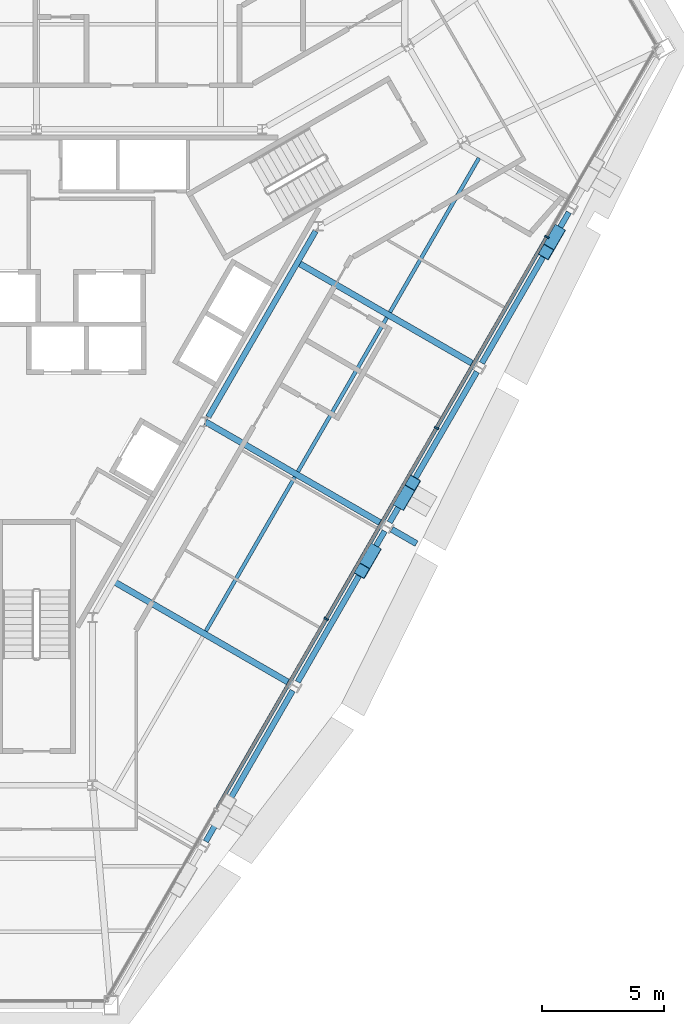
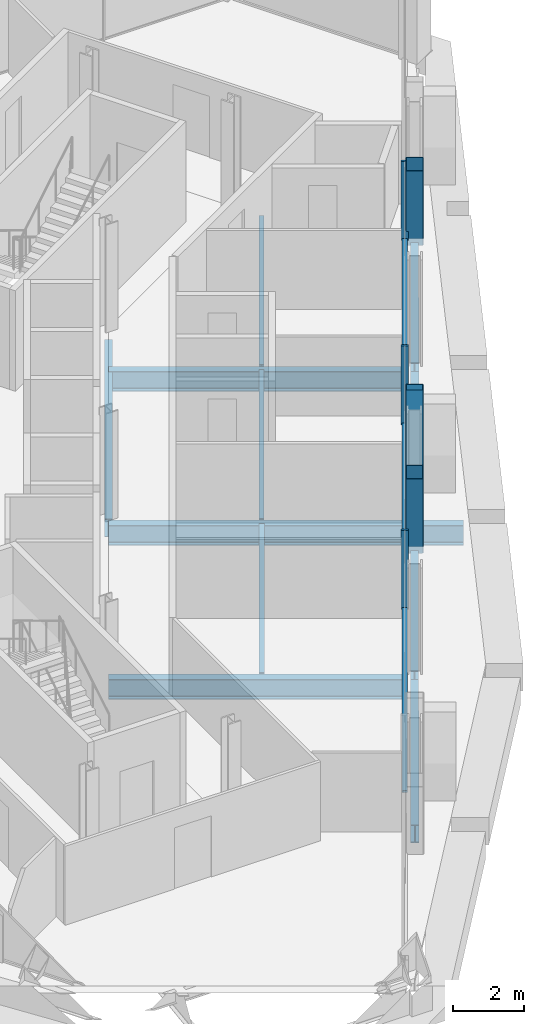
# One storey, part 4 of 13: 12 beams, 9 members, 1 element without a shape of its own.
"""IFC4 building model written with IfcOpenShell, lengths in metres."""

from ifc_helpers import new_model, si_unit, direction, frame, origin, origin_2d, place, context, subcontext, project, spatial, rectangle, hollow_rectangle, i_section, extrude, material, material_profile, profile_set, type_object, element, aggregate, save


model = new_model("IFC4")

# Units and contexts
model_context = context("Model", 3, precision=1e-05, world=origin(), true_north=direction((0.0, 1.0)))
body_context = subcontext(model_context, "Body", "Model", "MODEL_VIEW")
ifc_project = project(units=[si_unit("LENGTHUNIT", "METRE"), si_unit("AREAUNIT", "SQUARE_METRE"), si_unit("VOLUMEUNIT", "CUBIC_METRE"), si_unit("PLANEANGLEUNIT", "RADIAN"), si_unit("MASSUNIT", "GRAM", prefix="KILO")], contexts=[model_context])

# Site, building, storey
site_placement = place(None, origin())
site = spatial("IfcSite", under=ifc_project, at=site_placement, CompositionType="ELEMENT")
building_placement = place(site_placement, origin())
building = spatial("IfcBuilding", under=site, at=building_placement, Name="Verrane Prism Tower", CompositionType="ELEMENT")
storey_placement = place(building_placement, frame((0.0, 0.0, 152.5)))
storey = spatial("IfcBuildingStorey", under=building, at=storey_placement, Name="L37", CompositionType="ELEMENT", Elevation=152.5)

# Beam
ifc_material_1 = material(Name="Steel A992", Category="steel")
ifc_material_profile_1 = material_profile(ifc_material_1, i_section(OverallWidth=0.23046875, OverallDepth=0.6171875, WebThickness=0.01318359375, FlangeThickness=0.022216796875, FilletRadius=0.012939453125, at=origin_2d()), Name="W24x94")
ifc_profile_set_1 = profile_set([ifc_material_profile_1], Name="Steel A992")
beam_type_1 = type_object("IfcBeamType", Name="Core ring girder W24x94", PredefinedType="BEAM", material=ifc_profile_set_1)
beam_1_placement = place(storey_placement, frame((7.045166015625, -3.800537109375, -0.55859375), z_axis=(0.499967414725, 0.866044216084, 0.0), x_axis=(-0.866044216084, 0.499967414725, 0.0)))
element("IfcBeam", 1, at=beam_1_placement, inside=storey, type_object=beam_type_1, Name="Core ring girder L37", PredefinedType="BEAM", context=body_context, shape_type="SweptSolid", body=[
    extrude(i_section(OverallWidth=0.23046875, OverallDepth=0.6171875, WebThickness=0.01318359375, FlangeThickness=0.022216796875, FilletRadius=0.012939453125, at=origin_2d()), origin(), (0.0, 0.0, 1.0), 8.7998046875),
])

# Members
ifc_material_2 = material(Name="Steel A500 Grade C", Category="steel")
ifc_material_profile_2 = material_profile(ifc_material_2, hollow_rectangle(XDim=0.508056640625, YDim=0.508056640625, WallThickness=0.01904296875, InnerFilletRadius=0.009521484375, OuterFilletRadius=0.028564453125, at=origin_2d()), Name="HSS20x20x3/4")
ifc_profile_set_2 = profile_set([ifc_material_profile_2], Name="Steel A500 Grade C")
member_type_1 = type_object("IfcMemberType", Name="Facade brace HSS20x20x3/4", PredefinedType="BRACE", material=ifc_profile_set_2)
member_1_placement = place(storey_placement, frame((13.8046875, -9.2978515625, -0.216796875), z_axis=(-0.139696727642, -0.242434321043, 0.960057510916), x_axis=(0.866447259568, -0.499268611457, 0.0)))
element("IfcMember", 2, at=member_1_placement, inside=storey, type_object=member_type_1, Name="Facade brace SE2 L37", PredefinedType="BRACE", context=body_context, shape_type="SweptSolid", body=[
    extrude(hollow_rectangle(XDim=0.508056640625, YDim=0.508056640625, WallThickness=0.01904296875, InnerFilletRadius=0.009521484375, OuterFilletRadius=0.028564453125, at=origin_2d()), origin(), (0.0, 0.0, 1.0), 3.329345703125),
])
member_2_placement = place(storey_placement, frame((14.956787109375, -7.3037109375, -0.216796875), z_axis=(0.140068643314, 0.242076749518, 0.960093548829), x_axis=(-0.865551922742, 0.500819197952, 0.0)))
element("IfcMember", 3, at=member_2_placement, inside=storey, type_object=member_type_1, Name="Facade brace SE3 L37", PredefinedType="BRACE", context=body_context, shape_type="SweptSolid", body=[
    extrude(hollow_rectangle(XDim=0.508056640625, YDim=0.508056640625, WallThickness=0.01904296875, InnerFilletRadius=0.009521484375, OuterFilletRadius=0.028564453125, at=origin_2d()), origin(), (0.0, 0.0, 1.0), 3.3291015625),
])
member_3_placement = place(storey_placement, frame((21.354736328125, 3.772216796875, -0.216796875), z_axis=(-0.139768627074, -0.242431836886, 0.960047673478), x_axis=(0.866333877494, -0.499465326831, 0.0)))
element("IfcMember", 4, at=member_3_placement, inside=storey, type_object=member_type_1, Name="Facade brace SE4 L37", PredefinedType="BRACE", context=body_context, shape_type="SweptSolid", body=[
    extrude(hollow_rectangle(XDim=0.508056640625, YDim=0.508056640625, WallThickness=0.01904296875, InnerFilletRadius=0.009521484375, OuterFilletRadius=0.028564453125, at=origin_2d()), origin(), (0.0, 0.0, 1.0), 3.329345703125),
])

# Beams
ifc_material_3 = material(Name="Steel A992", Category="steel")
ifc_material_profile_3 = material_profile(ifc_material_3, i_section(OverallWidth=0.15234375, OverallDepth=0.449462890625, WebThickness=0.007568359375, FlangeThickness=0.0107421875, FilletRadius=0.01025390625, at=origin_2d()), Name="W18x35")
ifc_profile_set_3 = profile_set([ifc_material_profile_3], Name="Steel A992")
beam_type_2 = type_object("IfcBeamType", Name="Floor beam W18x35", PredefinedType="BEAM", material=ifc_profile_set_3)
beam_2_placement = place(storey_placement, frame((6.9462890625, -12.57861328125, -0.384765625), z_axis=(0.500012159746, 0.866018383238, 0.0), x_axis=(-0.866018383238, 0.500012159746, 0.0)))
element("IfcBeam", 5, at=beam_2_placement, inside=storey, type_object=beam_type_2, Name="Floor beam L37", PredefinedType="BEAM", context=body_context, shape_type="SweptSolid", body=[
    extrude(i_section(OverallWidth=0.15234375, OverallDepth=0.449462890625, WebThickness=0.007568359375, FlangeThickness=0.0107421875, FilletRadius=0.01025390625, at=origin_2d()), origin(), (0.0, 0.0, 1.0), 7.294677734375),
])
beam_3_placement = place(storey_placement, frame((10.719970703125, -6.041015625, -0.384765625), z_axis=(0.499998707891, 0.866026149782, 0.0), x_axis=(-0.866026149782, 0.499998707891, 0.0)))
element("IfcBeam", 6, at=beam_3_placement, inside=storey, type_object=beam_type_2, Name="Floor beam L37", PredefinedType="BEAM", context=body_context, shape_type="SweptSolid", body=[
    extrude(i_section(OverallWidth=0.15234375, OverallDepth=0.449462890625, WebThickness=0.007568359375, FlangeThickness=0.0107421875, FilletRadius=0.01025390625, at=origin_2d()), origin(), (0.0, 0.0, 1.0), 7.29296875),
])
beam_4_placement = place(storey_placement, frame((14.493408203125, 0.4951171875, -0.384765625), z_axis=(0.50001111627, 0.866018985708, 0.0), x_axis=(-0.866018985708, 0.50001111627, 0.0)))
element("IfcBeam", 7, at=beam_4_placement, inside=storey, type_object=beam_type_2, Name="Floor beam L37", PredefinedType="BEAM", context=body_context, shape_type="SweptSolid", body=[
    extrude(i_section(OverallWidth=0.15234375, OverallDepth=0.449462890625, WebThickness=0.007568359375, FlangeThickness=0.0107421875, FilletRadius=0.01025390625, at=origin_2d()), origin(), (0.0, 0.0, 1.0), 7.296630859375),
])

# Curtain wall, members
ifc_material_4 = material(Name="Aluminium framed insulated glazing", Category="aluminium")
curtain_wall_type = type_object("IfcCurtainWallType", Name="Curtain wall CW-A 8400 module", PredefinedType="NOTDEFINED", material=ifc_material_4)
curtain_wall_placement = place(storey_placement, origin())
curtain_wall = element("IfcCurtainWall", 8, at=curtain_wall_placement, inside=storey, type_object=curtain_wall_type, Name="Glazed curtain wall south-east face L37", PredefinedType="NOTDEFINED")
ifc_material_5 = material(Name="Aluminium alloy 6063-T6", Category="aluminium")
ifc_material_profile_4 = material_profile(ifc_material_5, rectangle(XDim=0.199951171875, YDim=0.070068359375, at=origin_2d()), Name="Mullion 70x200 aluminium")
ifc_profile_set_4 = profile_set([ifc_material_profile_4], Name="Aluminium alloy 6063-T6")
member_type_2 = type_object("IfcMemberType", Name="Mullion 70x200 aluminium", PredefinedType="MULLION", material=ifc_profile_set_4)
member_4_placement = place(storey_placement, frame((11.883056640625, -12.079833984375, 0.0), z_axis=(0.0, 0.0, 1.0), x_axis=(-0.866025097191, 0.500000531035, 0.0)))
member_4 = element("IfcMember", 9, at=member_4_placement, type_object=member_type_2, Name="CW36.6 mullion 3", PredefinedType="MULLION", context=body_context, shape_type="SweptSolid", body=[
    extrude(rectangle(XDim=0.199951171875, YDim=0.070068359375, at=origin_2d()), origin(), (0.0, 0.0, 1.0), 2.712890625),
])
member_5_placement = place(storey_placement, frame((16.403076171875, -4.251220703125, 0.0), z_axis=(0.0, 0.0, 1.0), x_axis=(-0.866025097191, 0.500000531035, 0.0)))
member_5 = element("IfcMember", 10, at=member_5_placement, type_object=member_type_2, Name="CW36.6 mullion 4", PredefinedType="MULLION", context=body_context, shape_type="SweptSolid", body=[
    extrude(rectangle(XDim=0.199951171875, YDim=0.070068359375, at=origin_2d()), origin(), (0.0, 0.0, 1.0), 2.712890625),
])
member_6_placement = place(storey_placement, frame((20.923095703125, 3.57763671875, 0.0), z_axis=(0.0, 0.0, 1.0), x_axis=(-0.866025097191, 0.500000531035, 0.0)))
member_6 = element("IfcMember", 11, at=member_6_placement, type_object=member_type_2, Name="CW36.6 mullion 5", PredefinedType="MULLION", context=body_context, shape_type="SweptSolid", body=[
    extrude(rectangle(XDim=0.199951171875, YDim=0.070068359375, at=origin_2d()), origin(), (0.0, 0.0, 1.0), 2.712890625),
])

# Beams
ifc_material_6 = material(Name="Steel A992", Category="steel")
ifc_material_profile_5 = material_profile(ifc_material_6, i_section(OverallWidth=0.25390625, OverallDepth=0.683349609375, WebThickness=0.012451171875, FlangeThickness=0.01904296875, FilletRadius=0.01513671875, at=origin_2d()), Name="W27x94")
ifc_profile_set_5 = profile_set([ifc_material_profile_5], Name="Steel A992")
beam_type_3 = type_object("IfcBeamType", Name="Radial girder W27x94", PredefinedType="BEAM", material=ifc_profile_set_5)
beam_5_placement = place(storey_placement, frame((10.421875, -14.7314453125, -0.5615234375), z_axis=(-0.866017422895, 0.500013823051, 0.0), x_axis=(-0.500013823051, -0.866017422895, 0.0)))
element("IfcBeam", 12, at=beam_5_placement, inside=storey, type_object=beam_type_3, Name="Radial girder L37", PredefinedType="BEAM", context=body_context, shape_type="SweptSolid", body=[
    extrude(i_section(OverallWidth=0.25390625, OverallDepth=0.683349609375, WebThickness=0.012451171875, FlangeThickness=0.01904296875, FilletRadius=0.01513671875, at=origin_2d()), origin(), (0.0, 0.0, 1.0), 8.389404296875),
])
beam_6_placement = place(storey_placement, frame((14.19189453125, -8.19140625, -0.5615234375), z_axis=(-0.866027030928, 0.499997181693, 0.0), x_axis=(-0.499997181693, -0.866027030928, 0.0)))
element("IfcBeam", 13, at=beam_6_placement, inside=storey, type_object=beam_type_3, Name="Radial girder L37", PredefinedType="BEAM", context=body_context, shape_type="SweptSolid", body=[
    extrude(i_section(OverallWidth=0.25390625, OverallDepth=0.683349609375, WebThickness=0.012451171875, FlangeThickness=0.01904296875, FilletRadius=0.01513671875, at=origin_2d()), origin(), (0.0, 0.0, 1.0), 8.384765625),
])
beam_7_placement = place(storey_placement, frame((17.971923828125, -1.661376953125, -0.5615234375), z_axis=(-0.866025742774, 0.499999412853, 0.0), x_axis=(-0.499999412853, -0.866025742774, 0.0)))
element("IfcBeam", 14, at=beam_7_placement, inside=storey, type_object=beam_type_3, Name="Radial girder L37", PredefinedType="BEAM", context=body_context, shape_type="SweptSolid", body=[
    extrude(i_section(OverallWidth=0.25390625, OverallDepth=0.683349609375, WebThickness=0.012451171875, FlangeThickness=0.01904296875, FilletRadius=0.01513671875, at=origin_2d()), origin(), (0.0, 0.0, 1.0), 8.3935546875),
])
beam_8_placement = place(storey_placement, frame((14.564697265625, -8.406494140625, -0.5615234375), z_axis=(0.866019260715, -0.500010639957, 0.0), x_axis=(0.500010639957, 0.866019260715, 0.0)))
element("IfcBeam", 15, at=beam_8_placement, inside=storey, type_object=beam_type_3, Name="Cantilever girder L37", PredefinedType="BEAM", context=body_context, shape_type="SweptSolid", body=[
    extrude(i_section(OverallWidth=0.25390625, OverallDepth=0.683349609375, WebThickness=0.012451171875, FlangeThickness=0.01904296875, FilletRadius=0.01513671875, at=origin_2d()), origin(), (0.0, 0.0, 1.0), 1.17333984375),
])
ifc_material_7 = material(Name="Steel A992", Category="steel")
ifc_material_profile_6 = material_profile(ifc_material_7, i_section(OverallWidth=0.23046875, OverallDepth=0.6171875, WebThickness=0.01318359375, FlangeThickness=0.022216796875, FilletRadius=0.012939453125, at=origin_2d()), Name="W24x94")
ifc_profile_set_6 = profile_set([ifc_material_profile_6], Name="Steel A992")
beam_type_4 = type_object("IfcBeamType", Name="Spandrel beam W24x94", PredefinedType="SPANDREL", material=ifc_profile_set_6)
for number, where, z_axis, x_axis, name in (
    (16, (6.942626953125, -21.201904296875, -0.468505859375), (0.499432230493, 0.866352957601, 0.0), (-0.866352957601, 0.499432230493, 0.0), "Spandrel beam L37"),
    (17, (10.712646484375, -14.661865234375, -0.468505859375), (0.499432230493, 0.866352957601, 0.0), (-0.866352957601, 0.499432230493, 0.0), "Spandrel beam L37"),
):
    element("IfcBeam", number, at=place(storey_placement, frame(where, z_axis=z_axis, x_axis=x_axis)), inside=storey, type_object=beam_type_4, Name=name, PredefinedType="SPANDREL", context=body_context, shape_type="SweptSolid", body=[
        extrude(i_section(OverallWidth=0.23046875, OverallDepth=0.6171875, WebThickness=0.01318359375, FlangeThickness=0.022216796875, FilletRadius=0.012939453125, at=origin_2d()), origin(), (0.0, 0.0, 1.0), 7.137451171875),
    ])
beam_9_placement = place(storey_placement, frame((14.483154296875, -8.121826171875, -0.468505859375), z_axis=(0.500974211218, 0.865462211592, 0.0), x_axis=(-0.865462211592, 0.500974211218, 0.0)))
element("IfcBeam", 18, at=beam_9_placement, inside=storey, type_object=beam_type_4, Name="Spandrel beam L37", PredefinedType="SPANDREL", context=body_context, shape_type="SweptSolid", body=[
    extrude(i_section(OverallWidth=0.23046875, OverallDepth=0.6171875, WebThickness=0.01318359375, FlangeThickness=0.022216796875, FilletRadius=0.012939453125, at=origin_2d()), origin(), (0.0, 0.0, 1.0), 7.133544921875),
])
beam_10_placement = place(storey_placement, frame((18.2626953125, -1.591796875, -0.468505859375), z_axis=(0.499432230493, 0.866352957601, 0.0), x_axis=(-0.866352957601, 0.499432230493, 0.0)))
element("IfcBeam", 19, at=beam_10_placement, inside=storey, type_object=beam_type_4, Name="Spandrel beam L37", PredefinedType="SPANDREL", context=body_context, shape_type="SweptSolid", body=[
    extrude(i_section(OverallWidth=0.23046875, OverallDepth=0.6171875, WebThickness=0.01318359375, FlangeThickness=0.022216796875, FilletRadius=0.012939453125, at=origin_2d()), origin(), (0.0, 0.0, 1.0), 7.137451171875),
])

# Member
ifc_material_8 = material(Name="Aluminium alloy 6063-T6", Category="aluminium")
ifc_material_profile_7 = material_profile(ifc_material_8, rectangle(XDim=0.14990234375, YDim=0.070068359375, at=origin_2d()), Name="Transom 70x150 aluminium")
ifc_profile_set_7 = profile_set([ifc_material_profile_7], Name="Aluminium alloy 6063-T6")
member_type_3 = type_object("IfcMemberType", Name="Transom 70x150 aluminium", PredefinedType="USERDEFINED", material=ifc_profile_set_7)
member_7_placement = place(storey_placement, frame((7.380615234375, -19.878173828125, 0.034912109375), z_axis=(0.500017741834, 0.866015160289, 0.0), x_axis=(-0.866015160289, 0.500017741834, 0.0)))
member_7 = element("IfcMember", 20, at=member_7_placement, type_object=member_type_3, Name="CW36.6 transom 2", ObjectType="TRANSOM", PredefinedType="USERDEFINED", context=body_context, shape_type="SweptSolid", body=[
    extrude(rectangle(XDim=0.14990234375, YDim=0.070068359375, at=origin_2d()), origin(), (0.0, 0.0, 1.0), 8.969970703125),
])

member_8_placement = place(storey_placement, frame((11.900634765625, -12.049560546875, 0.034912109375), z_axis=(0.499997328569, 0.86602694613, 0.0), x_axis=(-0.86602694613, 0.499997328569, 0.0)))
member_8 = element("IfcMember", 21, at=member_8_placement, type_object=member_type_3, Name="CW36.6 transom 3", ObjectType="TRANSOM", PredefinedType="USERDEFINED", context=body_context, shape_type="SweptSolid", body=[
    extrude(rectangle(XDim=0.14990234375, YDim=0.070068359375, at=origin_2d()), origin(), (0.0, 0.0, 1.0), 8.9697265625),
])

member_9_placement = place(storey_placement, frame((16.420654296875, -4.220947265625, 0.034912109375), z_axis=(0.49998554304, 0.866033750353, 0.0), x_axis=(-0.866033750353, 0.49998554304, 0.0)))
member_9 = element("IfcMember", 22, at=member_9_placement, type_object=member_type_3, Name="CW36.6 transom 4", ObjectType="TRANSOM", PredefinedType="USERDEFINED", context=body_context, shape_type="SweptSolid", body=[
    extrude(rectangle(XDim=0.14990234375, YDim=0.070068359375, at=origin_2d()), origin(), (0.0, 0.0, 1.0), 8.969970703125),
])

aggregate(curtain_wall, [member_4, member_5, member_6, member_7, member_8, member_9])

save(model, "model.ifc")
